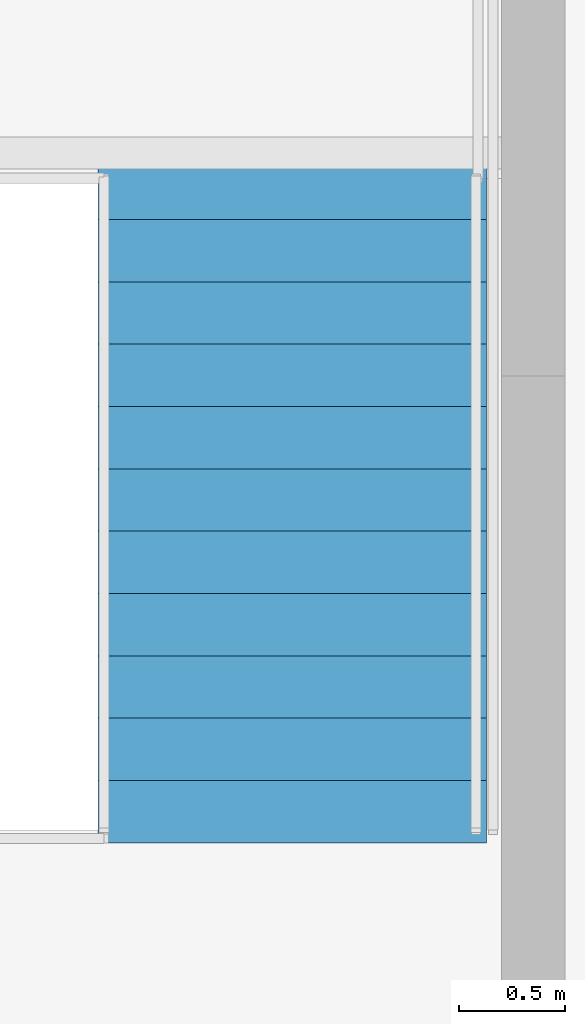
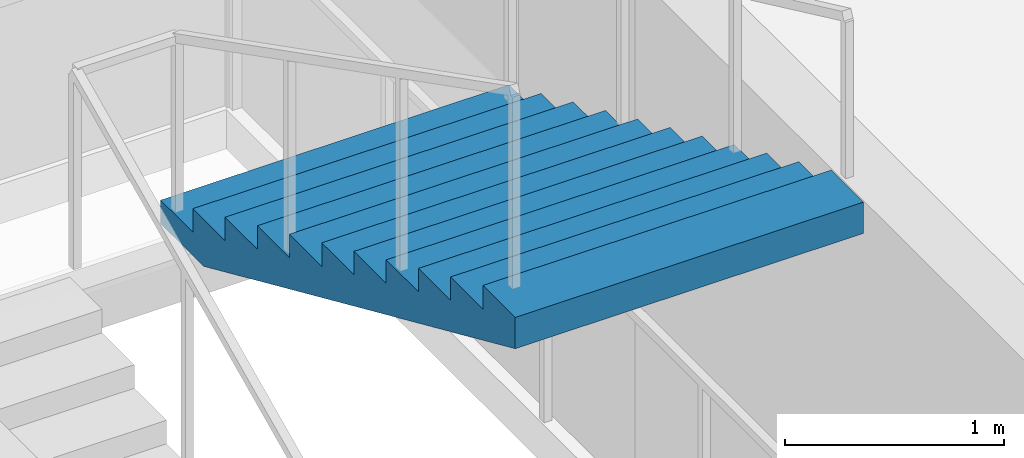
# One storey, part 44 of 47: 1 stair flight, 1 element without a shape of its own.
"""IFC4 building model written with IfcOpenShell, lengths in metres."""

from ifc_helpers import new_model, si_unit, direction, frame, origin, place, context, subcontext, project, spatial, polyline, outline, extrude, material, type_object, element, aggregate, save


model = new_model("IFC4")

# Units and contexts
model_context = context("Model", 3, precision=1e-05, world=origin(), true_north=direction((0.0, 1.0)))
body_context = subcontext(model_context, "Body", "Model", "MODEL_VIEW")
ifc_project = project(units=[si_unit("LENGTHUNIT", "METRE"), si_unit("AREAUNIT", "SQUARE_METRE"), si_unit("VOLUMEUNIT", "CUBIC_METRE"), si_unit("PLANEANGLEUNIT", "RADIAN"), si_unit("MASSUNIT", "GRAM", prefix="KILO")], contexts=[model_context])

# Site, building, storey
site_placement = place(None, origin())
site = spatial("IfcSite", under=ifc_project, at=site_placement, CompositionType="ELEMENT")
building_placement = place(site_placement, origin())
building = spatial("IfcBuilding", under=site, at=building_placement, Name="Taldren Reach Tower", CompositionType="ELEMENT")
storey_placement = place(building_placement, frame((0.0, 0.0, 142.449951171875)))
storey = spatial("IfcBuildingStorey", under=building, at=storey_placement, Name="L43", CompositionType="ELEMENT", Elevation=142.449951171875)

# Stair, stair flight
ifc_material = material(Name="Concrete S50 (50 MPa)", Category="concrete")
stair_type = type_object("IfcStairType", Name="ST-HT-315", PredefinedType="HALF_TURN_STAIR", material=ifc_material)
stair_placement = place(storey_placement, origin())
stair = element("IfcStair", 1, at=stair_placement, inside=storey, type_object=stair_type, Name="Fire-isolated exit stair ST2 L43", PredefinedType="HALF_TURN_STAIR")
stair_flight_type = type_object("IfcStairFlightType", Name="SF-STR-315", PredefinedType="STRAIGHT", material=ifc_material)
stair_flight_placement = place(storey_placement, frame((49.860107421875, 29.235107421875, 1.574951171875), z_axis=(0.0, 0.0, 1.0), x_axis=(0.0, -1.0, 0.0)))
stair_flight = element("IfcStairFlight", 2, at=stair_flight_placement, type_object=stair_flight_type, Name="ST2 flight 2", NumberOfRisers=12, NumberOfTreads=11, PredefinedType="STRAIGHT", RiserHeight=0.13125, TreadLength=0.295, context=body_context, shape_type="SweptSolid", body=[
    extrude(outline(polyline([(0.0, 0.0), (0.0, 0.13134765625), (0.294921875, 0.13134765625), (0.294921875, 0.262451171875), (0.590087890625, 0.262451171875), (0.590087890625, 0.393798828125), (0.885009765625, 0.393798828125), (0.885009765625, 0.52490234375), (1.179931640625, 0.52490234375), (1.179931640625, 0.65625), (1.47509765625, 0.65625), (1.47509765625, 0.78759765625), (1.77001953125, 0.78759765625), (1.77001953125, 0.918701171875), (2.06494140625, 0.918701171875), (2.06494140625, 1.050048828125), (2.360107421875, 1.050048828125), (2.360107421875, 1.18115234375), (2.655029296875, 1.18115234375), (2.655029296875, 1.3125), (2.949951171875, 1.3125), (2.949951171875, 1.44384765625), (3.2451171875, 1.44384765625), (3.2451171875, 1.574951171875), (3.2451171875, 1.268798828125), (0.393310546875, 0.0), (0.0, 0.0)])), frame((0.0, 0.919921875, 0.0), z_axis=(0.0, -1.0, 0.0), x_axis=(1.0, 0.0, 0.0)), (0.0, 0.0, 1.0), 1.840087890625),
])
aggregate(stair, [stair_flight])

save(model, "model.ifc")
